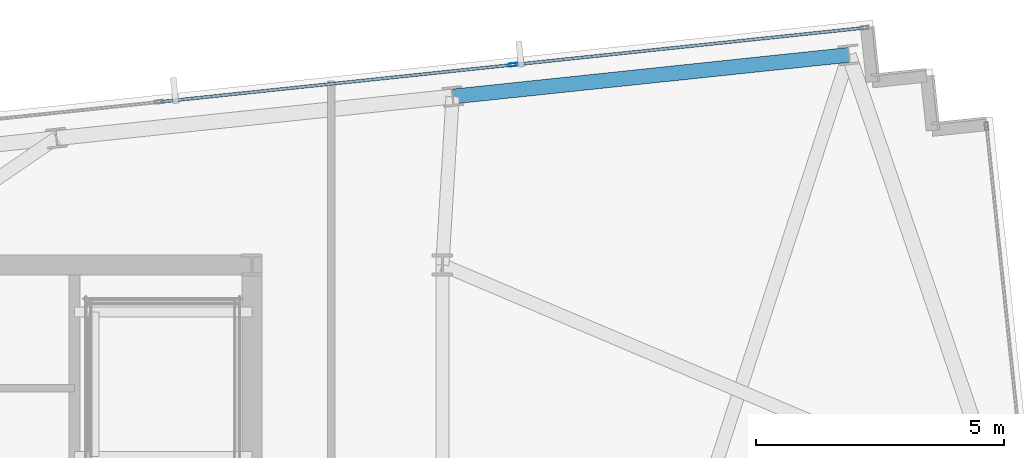
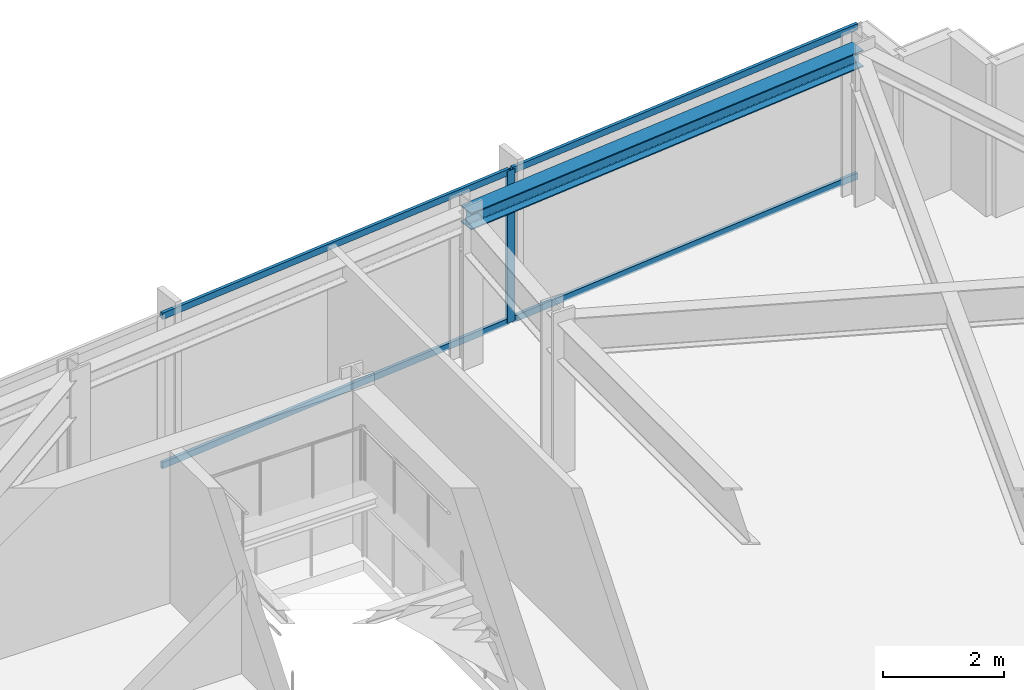
# One storey, part 24 of 33: 5 members, 1 beam, 1 element without a shape of its own.
"""IFC4 building model written with IfcOpenShell, lengths in metres."""

from ifc_helpers import new_model, si_unit, direction, frame, origin, origin_2d, place, context, subcontext, project, spatial, hollow_rectangle, i_section, extrude, material, material_profile, profile_set, type_object, element, aggregate, save


model = new_model("IFC4")

# Units and contexts
model_context = context("Model", 3, precision=1e-05, world=origin(), true_north=direction((0.0, 1.0)))
body_context = subcontext(model_context, "Body", "Model", "MODEL_VIEW")
ifc_project = project(units=[si_unit("LENGTHUNIT", "METRE"), si_unit("AREAUNIT", "SQUARE_METRE"), si_unit("VOLUMEUNIT", "CUBIC_METRE"), si_unit("PLANEANGLEUNIT", "RADIAN"), si_unit("MASSUNIT", "GRAM", prefix="KILO")], contexts=[model_context])

# Site, building, storey
site_placement = place(None, origin())
site = spatial("IfcSite", under=ifc_project, at=site_placement, CompositionType="ELEMENT")
building_placement = place(site_placement, origin())
building = spatial("IfcBuilding", under=site, at=building_placement, Name="Yelkora Congress Tower", CompositionType="ELEMENT")
storey_placement = place(building_placement, frame((0.0, 0.0, 237.5)))
storey = spatial("IfcBuildingStorey", under=building, at=storey_placement, Name="L66", CompositionType="ELEMENT", Elevation=237.5)

# Beam
ifc_material_1 = material(Name="Steel S355J2", Category="steel")
ifc_material_profile_1 = material_profile(ifc_material_1, i_section(OverallWidth=0.300048828125, OverallDepth=0.340087890625, WebThickness=0.011962890625, FlangeThickness=0.021484375, FilletRadius=0.027099609375, at=origin_2d()), Name="HEB 340")
ifc_profile_set_1 = profile_set([ifc_material_profile_1], Name="Steel S355J2")
beam_type = type_object("IfcBeamType", Name="BM-SPAN-HEB340", PredefinedType="SPANDREL", material=ifc_profile_set_1)
beam_placement = place(storey_placement, frame((65.7958984375, 50.4365234375, 2.909912109375), z_axis=(-0.994520097542, -0.104545567032, 0.0), x_axis=(0.104545567032, -0.994520097542, 0.0)))
element("IfcBeam", 1, at=beam_placement, inside=storey, type_object=beam_type, Name="L66 Perimeter Beam 13", PredefinedType="SPANDREL", context=body_context, shape_type="SweptSolid", body=[
    extrude(i_section(OverallWidth=0.300048828125, OverallDepth=0.340087890625, WebThickness=0.011962890625, FlangeThickness=0.021484375, FilletRadius=0.027099609375, at=origin_2d()), origin(), (0.0, 0.0, 1.0), 8.033203125),
])

# Curtain wall, members
ifc_material_2 = material(Name="Anodised aluminium and insulated glass", Category="aluminium")
curtain_wall_type = type_object("IfcCurtainWallType", Name="CW-SYS-B4", PredefinedType="NOTDEFINED", material=ifc_material_2)
curtain_wall_placement = place(storey_placement, origin())
curtain_wall = element("IfcCurtainWall", 2, at=curtain_wall_placement, inside=storey, type_object=curtain_wall_type, Name="L66 Unitised Curtain Wall 10 (3)", PredefinedType="NOTDEFINED")
ifc_material_3 = material(Name="Anodised aluminium 6063-T6", Category="aluminium")
ifc_material_profile_2 = material_profile(ifc_material_3, hollow_rectangle(XDim=0.06494140625, YDim=0.159912109375, WallThickness=0.00390625, at=origin_2d()), Name="ALU 65x160x4")
ifc_profile_set_2 = profile_set([ifc_material_profile_2], Name="Anodised aluminium 6063-T6")
member_type_1 = type_object("IfcMemberType", Name="MEM-ML-B4", PredefinedType="MULLION", material=ifc_profile_set_2)
member_1_placement = place(storey_placement, frame((59.019775390625, 50.237060546875, 0.0), z_axis=(0.0, 0.0, 1.0), x_axis=(-0.104527724021, 0.994521973066, 0.0)))
member_1 = element("IfcMember", 3, at=member_1_placement, type_object=member_type_1, Name="CW-B4 mullion 6", PredefinedType="MULLION", context=body_context, shape_type="SweptSolid", body=[
    extrude(hollow_rectangle(XDim=0.06494140625, YDim=0.159912109375, WallThickness=0.00390625, at=origin_2d()), origin(), (0.0, 0.0, 1.0), 3.080078125),
])
ifc_material_profile_3 = material_profile(ifc_material_3, hollow_rectangle(XDim=0.06005859375, YDim=0.1298828125, WallThickness=0.00390625, at=origin_2d()), Name="ALU 60x130x4")
ifc_profile_set_3 = profile_set([ifc_material_profile_3], Name="Anodised aluminium 6063-T6")
member_type_2 = type_object("IfcMemberType", Name="MEM-TR-B4", PredefinedType="USERDEFINED", material=ifc_profile_set_3)
member_2_placement = place(storey_placement, frame((51.92138671875, 49.490966796875, 0.030029296875), z_axis=(0.99452200925, 0.104527379751, 0.0), x_axis=(-0.104527379751, 0.99452200925, 0.0)))
member_2 = element("IfcMember", 4, at=member_2_placement, type_object=member_type_2, Name="CW-B4 transom 5.1", ObjectType="TRANSOM", PredefinedType="USERDEFINED", context=body_context, shape_type="SweptSolid", body=[
    extrude(hollow_rectangle(XDim=0.06005859375, YDim=0.1298828125, WallThickness=0.00390625, at=origin_2d()), origin(), (0.0, 0.0, 1.0), 7.10498046875),
])
member_3_placement = place(storey_placement, frame((51.92138671875, 49.490966796875, 3.050048828125), z_axis=(0.99452200925, 0.104527379751, 0.0), x_axis=(-0.104527379751, 0.99452200925, 0.0)))
member_3 = element("IfcMember", 5, at=member_3_placement, type_object=member_type_2, Name="CW-B4 transom 5.2", ObjectType="TRANSOM", PredefinedType="USERDEFINED", context=body_context, shape_type="SweptSolid", body=[
    extrude(hollow_rectangle(XDim=0.06005859375, YDim=0.1298828125, WallThickness=0.00390625, at=origin_2d()), origin(), (0.0, 0.0, 1.0), 7.10498046875),
])
member_4_placement = place(storey_placement, frame((59.052001953125, 50.240478515625, 0.030029296875), z_axis=(0.994522462765, 0.104523064706, 0.0), x_axis=(-0.104523064706, 0.994522462765, 0.0)))
member_4 = element("IfcMember", 6, at=member_4_placement, type_object=member_type_2, Name="CW-B4 transom 6.1", ObjectType="TRANSOM", PredefinedType="USERDEFINED", context=body_context, shape_type="SweptSolid", body=[
    extrude(hollow_rectangle(XDim=0.06005859375, YDim=0.1298828125, WallThickness=0.00390625, at=origin_2d()), origin(), (0.0, 0.0, 1.0), 7.07275390625),
])
member_5_placement = place(storey_placement, frame((59.052001953125, 50.240478515625, 3.050048828125), z_axis=(0.994522462765, 0.104523064706, 0.0), x_axis=(-0.104523064706, 0.994522462765, 0.0)))
member_5 = element("IfcMember", 7, at=member_5_placement, type_object=member_type_2, Name="CW-B4 transom 6.2", ObjectType="TRANSOM", PredefinedType="USERDEFINED", context=body_context, shape_type="SweptSolid", body=[
    extrude(hollow_rectangle(XDim=0.06005859375, YDim=0.1298828125, WallThickness=0.00390625, at=origin_2d()), origin(), (0.0, 0.0, 1.0), 7.07275390625),
])
aggregate(curtain_wall, [member_1, member_2, member_3, member_4, member_5])

save(model, "model.ifc")
